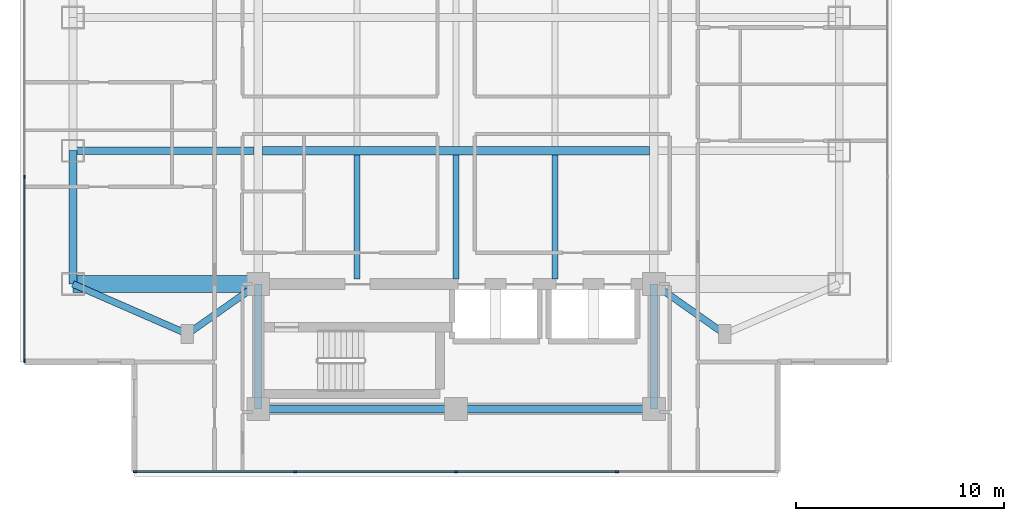
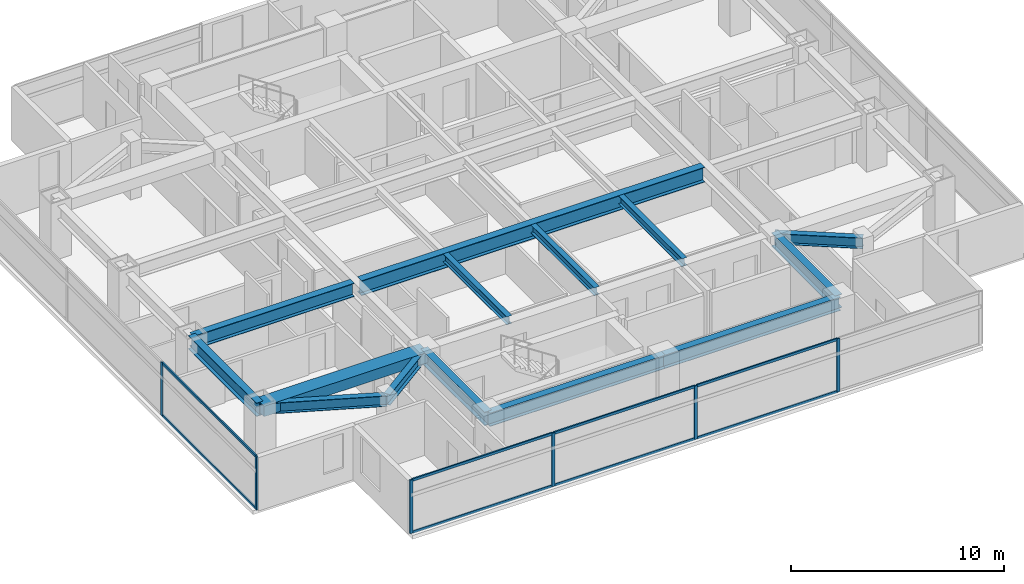
# One storey, part 2 of 26: 14 beams, 14 members, 2 elements without a shape of their own.
"""IFC4 building model written with IfcOpenShell, lengths in metres."""

from ifc_helpers import new_model, si_unit, direction, frame, origin, origin_2d, place, context, subcontext, project, spatial, rectangle, i_section, extrude, material, material_profile, profile_set, type_object, element, aggregate, save


model = new_model("IFC4")

# Units and contexts
model_context = context("Model", 3, precision=1e-05, world=origin(), true_north=direction((0.0, 1.0)))
body_context = subcontext(model_context, "Body", "Model", "MODEL_VIEW")
ifc_project = project(units=[si_unit("LENGTHUNIT", "METRE"), si_unit("AREAUNIT", "SQUARE_METRE"), si_unit("VOLUMEUNIT", "CUBIC_METRE"), si_unit("PLANEANGLEUNIT", "RADIAN"), si_unit("MASSUNIT", "GRAM", prefix="KILO")], contexts=[model_context])

# Site, building, storey
site_placement = place(None, origin())
site = spatial("IfcSite", under=ifc_project, at=site_placement, CompositionType="ELEMENT")
building_placement = place(site_placement, origin())
building = spatial("IfcBuilding", under=site, at=building_placement, Name="Mirazonda Arch Towers", CompositionType="ELEMENT")
storey_placement = place(building_placement, frame((0.0, 0.0, 128.0)))
storey = spatial("IfcBuildingStorey", under=building, at=storey_placement, Name="L36", CompositionType="ELEMENT", Elevation=128.0)

# Beams
ifc_material_1 = material(Name="Steel ASTM A992 Grade 50", Category="steel")
ifc_material_profile_1 = material_profile(ifc_material_1, i_section(OverallWidth=0.381103515625, OverallDepth=0.77294921875, WebThickness=0.0166015625, FlangeThickness=0.027099609375, at=origin_2d()), Name="W30X173")
ifc_profile_set_1 = profile_set([ifc_material_profile_1], Name="Steel ASTM A992 Grade 50")
beam_type_1 = type_object("IfcBeamType", Name="BM-EXT-W30X173", PredefinedType="USERDEFINED", material=ifc_profile_set_1)
beam_1_placement = place(storey_placement, frame((2.10009765625, 18.39990234375, 2.693603515625), z_axis=(0.0, 1.0, 0.0), x_axis=(-1.0, 0.0, 0.0)))
element("IfcBeam", 1, at=beam_1_placement, inside=storey, type_object=beam_type_1, Name="L36 Floor Beam BM-T1-L36-NS-W-18", ObjectType="GIRDER", PredefinedType="USERDEFINED", context=body_context, shape_type="SweptSolid", body=[
    extrude(i_section(OverallWidth=0.381103515625, OverallDepth=0.77294921875, WebThickness=0.0166015625, FlangeThickness=0.027099609375, at=origin_2d()), origin(), (0.0, 0.0, 1.0), 6.400146484375),
])
ifc_material_profile_2 = material_profile(ifc_material_1, i_section(OverallWidth=0.280029296875, OverallDepth=0.462890625, WebThickness=0.0107421875, FlangeThickness=0.017333984375, at=origin_2d()), Name="W18X76")
ifc_profile_set_2 = profile_set([ifc_material_profile_2], Name="Steel ASTM A992 Grade 50")
beam_type_2 = type_object("IfcBeamType", Name="BM-INT-W18X76", PredefinedType="JOIST", material=ifc_profile_set_2)
for number, where, z_axis, x_axis, name in (
    (2, (15.75, 18.639892578125, 2.848388671875), (0.0, 1.0, 0.0), (-1.0, 0.0, 0.0), "L36 Floor Beam BM-T1-L36-J-157-18"),
    (3, (20.5, 18.639892578125, 2.848388671875), (0.0, 1.0, 0.0), (-1.0, 0.0, 0.0), "L36 Floor Beam BM-T1-L36-J-205-18"),
    (4, (25.25, 18.639892578125, 2.848388671875), (0.0, 1.0, 0.0), (-1.0, 0.0, 0.0), "L36 Floor Beam BM-T1-L36-J-252-18"),
):
    element("IfcBeam", number, at=place(storey_placement, frame(where, z_axis=z_axis, x_axis=x_axis)), inside=storey, type_object=beam_type_2, Name=name, PredefinedType="JOIST", context=body_context, shape_type="SweptSolid", body=[
        extrude(i_section(OverallWidth=0.280029296875, OverallDepth=0.462890625, WebThickness=0.0107421875, FlangeThickness=0.017333984375, at=origin_2d()), origin(), (0.0, 0.0, 1.0), 5.964111328125),
    ])
ifc_material_profile_3 = material_profile(ifc_material_1, i_section(OverallWidth=0.324951171875, OverallDepth=0.615966796875, WebThickness=0.013916015625, FlangeThickness=0.021484375, at=origin_2d()), Name="W24X117")
ifc_profile_set_3 = profile_set([ifc_material_profile_3], Name="Steel ASTM A992 Grade 50")
beam_type_3 = type_object("IfcBeamType", Name="BM-INT-W24X117", PredefinedType="BEAM", material=ifc_profile_set_3)
beam_2_placement = place(storey_placement, frame((7.60009765625, 16.0, 2.77197265625), z_axis=(0.816971114901, 0.576678591087, 0.0), x_axis=(-0.576678591087, 0.816971114901, 0.0)))
element("IfcBeam", 5, at=beam_2_placement, inside=storey, type_object=beam_type_3, Name="L36 Floor Beam BM-T1-L36-PL-SW1", PredefinedType="BEAM", context=body_context, shape_type="SweptSolid", body=[
    extrude(i_section(OverallWidth=0.324951171875, OverallDepth=0.615966796875, WebThickness=0.013916015625, FlangeThickness=0.021484375, at=origin_2d()), origin(), (0.0, 0.0, 1.0), 4.16162109375),
])
beam_3_placement = place(storey_placement, frame((7.60009765625, 16.0, 2.77197265625), z_axis=(-0.916545343703, 0.399930785183, 0.0), x_axis=(-0.399930785183, -0.916545343703, 0.0)))
element("IfcBeam", 6, at=beam_3_placement, inside=storey, type_object=beam_type_3, Name="L36 Floor Beam BM-T1-L36-PL-SW2", PredefinedType="BEAM", context=body_context, shape_type="SweptSolid", body=[
    extrude(i_section(OverallWidth=0.324951171875, OverallDepth=0.615966796875, WebThickness=0.013916015625, FlangeThickness=0.021484375, at=origin_2d()), origin(), (0.0, 0.0, 1.0), 6.000732421875),
])
beam_4_placement = place(storey_placement, frame((33.39990234375, 16.0, 2.77197265625), z_axis=(-0.816971114901, 0.576678591087, 0.0), x_axis=(-0.576678591087, -0.816971114901, 0.0)))
element("IfcBeam", 7, at=beam_4_placement, inside=storey, type_object=beam_type_3, Name="L36 Floor Beam BM-T1-L36-PL-SE1", PredefinedType="BEAM", context=body_context, shape_type="SweptSolid", body=[
    extrude(i_section(OverallWidth=0.324951171875, OverallDepth=0.615966796875, WebThickness=0.013916015625, FlangeThickness=0.021484375, at=origin_2d()), origin(), (0.0, 0.0, 1.0), 4.16162109375),
])
ifc_material_profile_4 = material_profile(ifc_material_1, i_section(OverallWidth=0.381103515625, OverallDepth=0.77294921875, WebThickness=0.0166015625, FlangeThickness=0.027099609375, at=origin_2d()), Name="W30X173")
ifc_profile_set_4 = profile_set([ifc_material_profile_4], Name="Steel ASTM A992 Grade 50")
beam_type_4 = type_object("IfcBeamType", Name="BM-INT-W30X173", PredefinedType="USERDEFINED", material=ifc_profile_set_4)
beam_5_placement = place(storey_placement, frame((2.10009765625, 24.800048828125, 2.693603515625), z_axis=(1.0, 0.0, 0.0), x_axis=(0.0, 1.0, 0.0)))
element("IfcBeam", 8, at=beam_5_placement, inside=storey, type_object=beam_type_4, Name="L36 Floor Beam BM-T1-L36-GW2", ObjectType="GIRDER", PredefinedType="USERDEFINED", context=body_context, shape_type="SweptSolid", body=[
    extrude(i_section(OverallWidth=0.381103515625, OverallDepth=0.77294921875, WebThickness=0.0166015625, FlangeThickness=0.027099609375, at=origin_2d()), origin(), (0.0, 0.0, 1.0), 8.699951171875),
])
for number, where, z_axis, x_axis, name in (
    (9, (11.0, 12.39990234375, 2.693603515625), (1.0, 0.0, 0.0), (0.0, 1.0, 0.0), "L36 Floor Beam BM-T1-L36-CS1"),
    (10, (20.5, 12.39990234375, 2.693603515625), (1.0, 0.0, 0.0), (0.0, 1.0, 0.0), "L36 Floor Beam BM-T1-L36-CS2"),
):
    element("IfcBeam", number, at=place(storey_placement, frame(where, z_axis=z_axis, x_axis=x_axis)), inside=storey, type_object=beam_type_4, Name=name, ObjectType="GIRDER", PredefinedType="USERDEFINED", context=body_context, shape_type="SweptSolid", body=[
        extrude(i_section(OverallWidth=0.381103515625, OverallDepth=0.77294921875, WebThickness=0.0166015625, FlangeThickness=0.027099609375, at=origin_2d()), origin(), (0.0, 0.0, 1.0), 9.5),
    ])
for number, where, z_axis, x_axis, name in (
    (11, (11.0, 12.39990234375, 2.693603515625), (0.0, 1.0, 0.0), (-1.0, 0.0, 0.0), "L36 Floor Beam BM-T1-L36-CSW"),
    (12, (30.0, 12.39990234375, 2.693603515625), (0.0, 1.0, 0.0), (-1.0, 0.0, 0.0), "L36 Floor Beam BM-T1-L36-CSE"),
):
    element("IfcBeam", number, at=place(storey_placement, frame(where, z_axis=z_axis, x_axis=x_axis)), inside=storey, type_object=beam_type_4, Name=name, ObjectType="GIRDER", PredefinedType="USERDEFINED", context=body_context, shape_type="SweptSolid", body=[
        extrude(i_section(OverallWidth=0.381103515625, OverallDepth=0.77294921875, WebThickness=0.0166015625, FlangeThickness=0.027099609375, at=origin_2d()), origin(), (0.0, 0.0, 1.0), 6.0),
    ])
ifc_material_profile_5 = material_profile(ifc_material_1, i_section(OverallWidth=0.39990234375, OverallDepth=0.85595703125, WebThickness=0.018310546875, FlangeThickness=0.029296875, at=origin_2d()), Name="W33X201")
ifc_profile_set_5 = profile_set([ifc_material_profile_5], Name="Steel ASTM A992 Grade 50")
beam_type_5 = type_object("IfcBeamType", Name="BM-INT-W33X201", PredefinedType="USERDEFINED", material=ifc_profile_set_5)
beam_6_placement = place(storey_placement, frame((11.199951171875, 24.800048828125, 2.652099609375), z_axis=(1.0, 0.0, 0.0), x_axis=(0.0, 1.0, 0.0)))
element("IfcBeam", 13, at=beam_6_placement, inside=storey, type_object=beam_type_5, Name="L36 Floor Beam BM-T1-L36-GC2", ObjectType="GIRDER", PredefinedType="USERDEFINED", context=body_context, shape_type="SweptSolid", body=[
    extrude(i_section(OverallWidth=0.39990234375, OverallDepth=0.85595703125, WebThickness=0.018310546875, FlangeThickness=0.029296875, at=origin_2d()), origin(), (0.0, 0.0, 1.0), 18.60009765625),
])
ifc_material_2 = material(Name="Concrete C60/75", Category="concrete")
ifc_material_profile_6 = material_profile(ifc_material_2, rectangle(XDim=0.800048828125, YDim=0.60009765625, at=origin_2d()), Name="RCCB800x600")
ifc_profile_set_6 = profile_set([ifc_material_profile_6], Name="Concrete C60/75")
beam_type_6 = type_object("IfcBeamType", Name="CB-INT-RCCB800x600", PredefinedType="SPANDREL", material=ifc_profile_set_6)
beam_7_placement = place(storey_placement, frame((2.10009765625, 18.39990234375, 2.780029296875), z_axis=(1.0, 0.0, 0.0), x_axis=(0.0, 1.0, 0.0)))
element("IfcBeam", 14, at=beam_7_placement, inside=storey, type_object=beam_type_6, Name="L36 Floor Beam CBC-T1-L36-SW", PredefinedType="SPANDREL", context=body_context, shape_type="SweptSolid", body=[
    extrude(rectangle(XDim=0.800048828125, YDim=0.60009765625, at=origin_2d()), origin(), (0.0, 0.0, 1.0), 8.89990234375),
])

# Curtain wall, members
ifc_material_3 = material(Name="Anodised Aluminium and Low-E Glass", Category="aluminium")
curtain_wall_type = type_object("IfcCurtainWallType", Name="CW-HTL-UNIT", PredefinedType="NOTDEFINED", material=ifc_material_3)
curtain_wall_1_placement = place(storey_placement, origin())
curtain_wall_1 = element("IfcCurtainWall", 15, at=curtain_wall_1_placement, inside=storey, type_object=curtain_wall_type, Name="L36 T1 S Facade CW-L36-T1-S", PredefinedType="NOTDEFINED")
ifc_material_4 = material(Name="Anodised Aluminium Alloy", Category="aluminium")
ifc_material_profile_7 = material_profile(ifc_material_4, rectangle(XDim=0.074951171875, YDim=0.1650390625, at=origin_2d()), Name="ALU-MULL-75x165")
ifc_profile_set_7 = profile_set([ifc_material_profile_7], Name="Anodised Aluminium Alloy")
member_type_1 = type_object("IfcMemberType", Name="MULL-CW-HTL-UNIT", PredefinedType="MULLION", material=ifc_profile_set_7)
member_1_placement = place(storey_placement, frame((28.22509765625, 9.385986328125, 0.0), z_axis=(0.0, 0.0, 1.0), x_axis=(0.0, -1.0, 0.0)))
member_1 = element("IfcMember", 16, at=member_1_placement, type_object=member_type_1, Name="CW-112 mullion 2", PredefinedType="MULLION", context=body_context, shape_type="SweptSolid", body=[
    extrude(rectangle(XDim=0.074951171875, YDim=0.1650390625, at=origin_2d()), origin(), (0.0, 0.0, 1.0), 3.06005859375),
])
member_2_placement = place(storey_placement, frame((20.5, 9.385986328125, 0.0), z_axis=(0.0, 0.0, 1.0), x_axis=(0.0, -1.0, 0.0)))
member_2 = element("IfcMember", 17, at=member_2_placement, type_object=member_type_1, Name="CW-112 mullion 3", PredefinedType="MULLION", context=body_context, shape_type="SweptSolid", body=[
    extrude(rectangle(XDim=0.074951171875, YDim=0.1650390625, at=origin_2d()), origin(), (0.0, 0.0, 1.0), 3.06005859375),
])
member_3_placement = place(storey_placement, frame((12.77490234375, 9.385986328125, 0.0), z_axis=(0.0, 0.0, 1.0), x_axis=(0.0, -1.0, 0.0)))
member_3 = element("IfcMember", 18, at=member_3_placement, type_object=member_type_1, Name="CW-112 mullion 4", PredefinedType="MULLION", context=body_context, shape_type="SweptSolid", body=[
    extrude(rectangle(XDim=0.074951171875, YDim=0.1650390625, at=origin_2d()), origin(), (0.0, 0.0, 1.0), 3.06005859375),
])
member_4_placement = place(storey_placement, frame((5.08740234375, 9.385986328125, 0.0), z_axis=(0.0, 0.0, 1.0), x_axis=(0.0, -1.0, 0.0)))
member_4 = element("IfcMember", 19, at=member_4_placement, type_object=member_type_1, Name="CW-112 mullion 5", PredefinedType="MULLION", context=body_context, shape_type="SweptSolid", body=[
    extrude(rectangle(XDim=0.074951171875, YDim=0.1650390625, at=origin_2d()), origin(), (0.0, 0.0, 1.0), 3.06005859375),
])

curtain_wall_2_placement = place(storey_placement, origin())
curtain_wall_2 = element("IfcCurtainWall", 20, at=curtain_wall_2_placement, inside=storey, type_object=curtain_wall_type, Name="L36 T1 W Facade CW-L36-T1-W", PredefinedType="NOTDEFINED")
member_5_placement = place(storey_placement, frame((-0.219970703125, 23.552001953125, 0.0), z_axis=(0.0, 0.0, 1.0), x_axis=(1.0, 0.0, 0.0)))
member_5 = element("IfcMember", 21, at=member_5_placement, type_object=member_type_1, Name="CW-112 mullion 3", PredefinedType="MULLION", context=body_context, shape_type="SweptSolid", body=[
    extrude(rectangle(XDim=0.074951171875, YDim=0.1650390625, at=origin_2d()), origin(), (0.0, 0.0, 1.0), 3.06005859375),
])
member_6_placement = place(storey_placement, frame((-0.219970703125, 14.693603515625, 0.0), z_axis=(0.0, 0.0, 1.0), x_axis=(1.0, 0.0, 0.0)))
member_6 = element("IfcMember", 22, at=member_6_placement, type_object=member_type_1, Name="CW-112 mullion 4", PredefinedType="MULLION", context=body_context, shape_type="SweptSolid", body=[
    extrude(rectangle(XDim=0.074951171875, YDim=0.1650390625, at=origin_2d()), origin(), (0.0, 0.0, 1.0), 3.06005859375),
])

# Member
ifc_material_profile_8 = material_profile(ifc_material_4, rectangle(XDim=0.074951171875, YDim=0.14501953125, at=origin_2d()), Name="ALU-TRAN-75x145")
ifc_profile_set_8 = profile_set([ifc_material_profile_8], Name="Anodised Aluminium Alloy")
member_type_2 = type_object("IfcMemberType", Name="TRAN-CW-HTL-UNIT", PredefinedType="USERDEFINED", material=ifc_profile_set_8)
member_7_placement = place(storey_placement, frame((28.1875, 9.385986328125, 0.03759765625), z_axis=(-1.0, 0.0, 0.0), x_axis=(0.0, -1.0, 0.0)))
member_7 = element("IfcMember", 23, at=member_7_placement, type_object=member_type_2, Name="CW-112 transom 2.1", ObjectType="TRANSOM", PredefinedType="USERDEFINED", context=body_context, shape_type="SweptSolid", body=[
    extrude(rectangle(XDim=0.074951171875, YDim=0.14501953125, at=origin_2d()), origin(), (0.0, 0.0, 1.0), 7.64990234375),
])

member_8_placement = place(storey_placement, frame((28.1875, 9.385986328125, 3.0224609375), z_axis=(-1.0, 0.0, 0.0), x_axis=(0.0, -1.0, 0.0)))
member_8 = element("IfcMember", 24, at=member_8_placement, type_object=member_type_2, Name="CW-112 transom 2.2", ObjectType="TRANSOM", PredefinedType="USERDEFINED", context=body_context, shape_type="SweptSolid", body=[
    extrude(rectangle(XDim=0.074951171875, YDim=0.14501953125, at=origin_2d()), origin(), (0.0, 0.0, 1.0), 7.64990234375),
])

member_9_placement = place(storey_placement, frame((20.46240234375, 9.385986328125, 0.03759765625), z_axis=(-1.0, 0.0, 0.0), x_axis=(0.0, -1.0, 0.0)))
member_9 = element("IfcMember", 25, at=member_9_placement, type_object=member_type_2, Name="CW-112 transom 3.1", ObjectType="TRANSOM", PredefinedType="USERDEFINED", context=body_context, shape_type="SweptSolid", body=[
    extrude(rectangle(XDim=0.074951171875, YDim=0.14501953125, at=origin_2d()), origin(), (0.0, 0.0, 1.0), 7.64990234375),
])

member_10_placement = place(storey_placement, frame((20.46240234375, 9.385986328125, 3.0224609375), z_axis=(-1.0, 0.0, 0.0), x_axis=(0.0, -1.0, 0.0)))
member_10 = element("IfcMember", 26, at=member_10_placement, type_object=member_type_2, Name="CW-112 transom 3.2", ObjectType="TRANSOM", PredefinedType="USERDEFINED", context=body_context, shape_type="SweptSolid", body=[
    extrude(rectangle(XDim=0.074951171875, YDim=0.14501953125, at=origin_2d()), origin(), (0.0, 0.0, 1.0), 7.64990234375),
])

member_11_placement = place(storey_placement, frame((12.737548828125, 9.385986328125, 0.03759765625), z_axis=(-1.0, 0.0, 0.0), x_axis=(0.0, -1.0, 0.0)))
member_11 = element("IfcMember", 27, at=member_11_placement, type_object=member_type_2, Name="CW-112 transom 4.1", ObjectType="TRANSOM", PredefinedType="USERDEFINED", context=body_context, shape_type="SweptSolid", body=[
    extrude(rectangle(XDim=0.074951171875, YDim=0.14501953125, at=origin_2d()), origin(), (0.0, 0.0, 1.0), 7.612548828125),
])

member_12_placement = place(storey_placement, frame((12.737548828125, 9.385986328125, 3.0224609375), z_axis=(-1.0, 0.0, 0.0), x_axis=(0.0, -1.0, 0.0)))
member_12 = element("IfcMember", 28, at=member_12_placement, type_object=member_type_2, Name="CW-112 transom 4.2", ObjectType="TRANSOM", PredefinedType="USERDEFINED", context=body_context, shape_type="SweptSolid", body=[
    extrude(rectangle(XDim=0.074951171875, YDim=0.14501953125, at=origin_2d()), origin(), (0.0, 0.0, 1.0), 7.612548828125),
])

aggregate(curtain_wall_1, [member_1, member_2, member_3, member_4, member_7, member_8, member_9, member_10, member_11, member_12])

member_13_placement = place(storey_placement, frame((-0.219970703125, 23.514404296875, 0.03759765625), z_axis=(0.0, -1.0, 0.0), x_axis=(1.0, 0.0, 0.0)))
member_13 = element("IfcMember", 29, at=member_13_placement, type_object=member_type_2, Name="CW-112 transom 3.1", ObjectType="TRANSOM", PredefinedType="USERDEFINED", context=body_context, shape_type="SweptSolid", body=[
    extrude(rectangle(XDim=0.074951171875, YDim=0.14501953125, at=origin_2d()), origin(), (0.0, 0.0, 1.0), 8.783447265625),
])

member_14_placement = place(storey_placement, frame((-0.219970703125, 23.514404296875, 3.0224609375), z_axis=(0.0, -1.0, 0.0), x_axis=(1.0, 0.0, 0.0)))
member_14 = element("IfcMember", 30, at=member_14_placement, type_object=member_type_2, Name="CW-112 transom 3.2", ObjectType="TRANSOM", PredefinedType="USERDEFINED", context=body_context, shape_type="SweptSolid", body=[
    extrude(rectangle(XDim=0.074951171875, YDim=0.14501953125, at=origin_2d()), origin(), (0.0, 0.0, 1.0), 8.783447265625),
])

aggregate(curtain_wall_2, [member_5, member_6, member_13, member_14])

save(model, "model.ifc")
